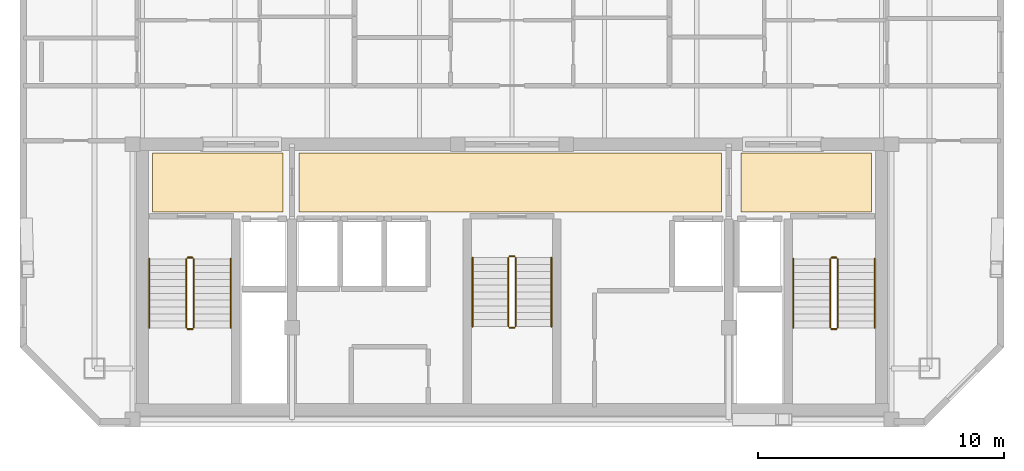
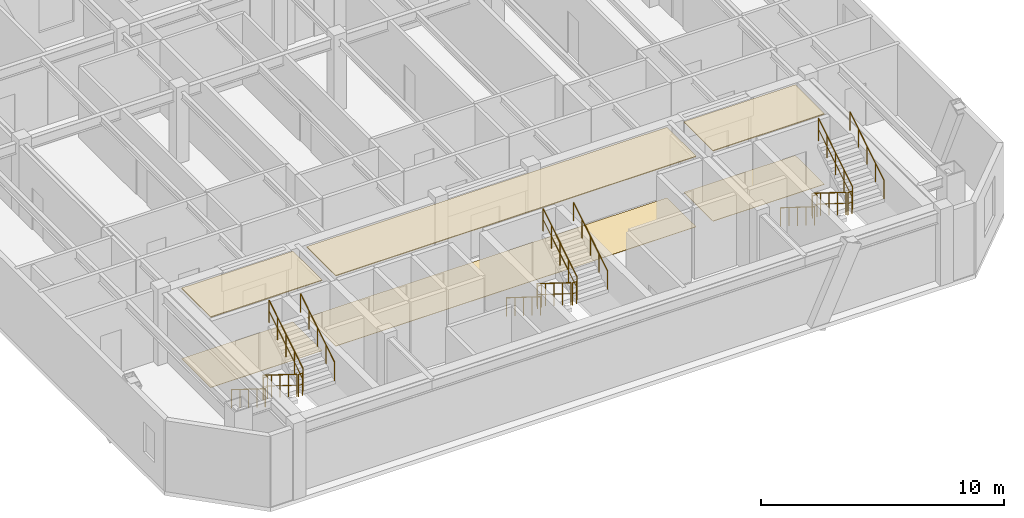
# One storey, part 7 of 7: 18 railings, 6 coverings.
"""IFC4 building model written with IfcOpenShell, lengths in metres."""

from ifc_helpers import new_model, si_unit, direction, frame, origin, origin_2d, place, context, subcontext, project, spatial, polyline, circle, outline, extrude, material, layer, layer_set, type_object, element, save


model = new_model("IFC4")

# Units and contexts
model_context = context("Model", 3, precision=1e-05, world=origin(), true_north=direction((0.0, 1.0)))
body_context = subcontext(model_context, "Body", "Model", "MODEL_VIEW")
ifc_project = project(units=[si_unit("LENGTHUNIT", "METRE"), si_unit("AREAUNIT", "SQUARE_METRE"), si_unit("VOLUMEUNIT", "CUBIC_METRE"), si_unit("PLANEANGLEUNIT", "RADIAN"), si_unit("MASSUNIT", "GRAM", prefix="KILO")], contexts=[model_context])

# Site, building, storey
site_placement = place(None, origin())
site = spatial("IfcSite", under=ifc_project, at=site_placement, CompositionType="ELEMENT")
building_placement = place(site_placement, origin())
building = spatial("IfcBuilding", under=site, at=building_placement, Name="Ventersveld Concourse Tower", CompositionType="ELEMENT")
storey_placement = place(building_placement, frame((0.0, 0.0, 304.14990234375)))
storey = spatial("IfcBuildingStorey", under=building, at=storey_placement, Name="L75", CompositionType="ELEMENT", Elevation=304.14990234375)

# Coverings
ifc_material_1 = material(Name="Mineral-fibre acoustic ceiling tile", Category="gypsum")
ifc_layer_1 = layer(ifc_material_1, 0.0400390625)
ifc_layer_set_1 = layer_set([ifc_layer_1], Name="Mineral-fibre acoustic ceiling tile")
covering_type_1 = type_object("IfcCoveringType", Name="COV-CEIL-ACOUSTIC", PredefinedType="CEILING", material=ifc_layer_set_1)
covering_1_placement = place(storey_placement, frame((0.0, 0.0, 3.530029296875)))
element("IfcCovering", 1, at=covering_1_placement, inside=storey, type_object=covering_type_1, Name="L75 North Lift Lobby Acoustic Ceiling", PredefinedType="CEILING", context=body_context, shape_type="SweptSolid", body=[
    extrude(outline(polyline([(20.10009765625, 8.699951171875), (37.25, 8.699951171875), (37.25, 11.10009765625), (20.10009765625, 11.10009765625), (20.10009765625, 8.699951171875)])), origin(), (0.0, 0.0, 1.0), 0.0400390625),
])
covering_2_placement = place(storey_placement, frame((0.0, 0.0, 3.530029296875)))
element("IfcCovering", 2, at=covering_2_placement, inside=storey, type_object=covering_type_1, Name="L75 West Firefighting Lobby Acoustic Ceiling", PredefinedType="CEILING", context=body_context, shape_type="SweptSolid", body=[
    extrude(outline(polyline([(14.14990234375, 8.699951171875), (19.449951171875, 8.699951171875), (19.449951171875, 11.10009765625), (14.14990234375, 11.10009765625), (14.14990234375, 8.699951171875)])), origin(), (0.0, 0.0, 1.0), 0.0400390625),
])
covering_3_placement = place(storey_placement, frame((0.0, 0.0, 3.530029296875)))
element("IfcCovering", 3, at=covering_3_placement, inside=storey, type_object=covering_type_1, Name="L75 East Firefighting Lobby Acoustic Ceiling", PredefinedType="CEILING", context=body_context, shape_type="SweptSolid", body=[
    extrude(outline(polyline([(38.050048828125, 8.699951171875), (43.35009765625, 8.699951171875), (43.35009765625, 11.10009765625), (38.050048828125, 11.10009765625), (38.050048828125, 8.699951171875)])), origin(), (0.0, 0.0, 1.0), 0.0400390625),
])
ifc_material_2 = material(Name="Polished Highveld granite terrazzo", Category="masonry")
ifc_layer_2 = layer(ifc_material_2, 0.02001953125)
ifc_layer_set_2 = layer_set([ifc_layer_2], Name="Polished Highveld granite terrazzo")
covering_type_2 = type_object("IfcCoveringType", Name="COV-FLOOR-TERRAZZO", PredefinedType="FLOORING", material=ifc_layer_set_2)
covering_4_placement = place(storey_placement, origin())
element("IfcCovering", 4, at=covering_4_placement, inside=storey, type_object=covering_type_2, Name="L75 North Lift Lobby Terrazzo Flooring", PredefinedType="FLOORING", context=body_context, shape_type="SweptSolid", body=[
    extrude(outline(polyline([(20.10009765625, 8.699951171875), (37.25, 8.699951171875), (37.25, 11.10009765625), (20.10009765625, 11.10009765625), (20.10009765625, 8.699951171875)])), origin(), (0.0, 0.0, 1.0), 0.02001953125),
])
covering_5_placement = place(storey_placement, origin())
element("IfcCovering", 5, at=covering_5_placement, inside=storey, type_object=covering_type_2, Name="L75 West Firefighting Lobby Terrazzo Flooring", PredefinedType="FLOORING", context=body_context, shape_type="SweptSolid", body=[
    extrude(outline(polyline([(14.14990234375, 8.699951171875), (19.449951171875, 8.699951171875), (19.449951171875, 11.10009765625), (14.14990234375, 11.10009765625), (14.14990234375, 8.699951171875)])), origin(), (0.0, 0.0, 1.0), 0.02001953125),
])
covering_6_placement = place(storey_placement, origin())
element("IfcCovering", 6, at=covering_6_placement, inside=storey, type_object=covering_type_2, Name="L75 East Firefighting Lobby Terrazzo Flooring", PredefinedType="FLOORING", context=body_context, shape_type="SweptSolid", body=[
    extrude(outline(polyline([(38.050048828125, 8.699951171875), (43.35009765625, 8.699951171875), (43.35009765625, 11.10009765625), (38.050048828125, 11.10009765625), (38.050048828125, 8.699951171875)])), origin(), (0.0, 0.0, 1.0), 0.02001953125),
])

# Railings
ifc_material_3 = material(Name="Brushed stainless steel 316", Category="steel")
railing_type_1 = type_object("IfcRailingType", Name="GD-BAL-115", PredefinedType="GUARDRAIL", material=ifc_material_3)
railing_1_placement = place(storey_placement, frame((15.530029296875, 6.800048828125, 0.175048828125)))
element("IfcRailing", 7, at=railing_1_placement, inside=storey, type_object=railing_type_1, Name="L75 ST-01 stair guard 1", PredefinedType="GUARDRAIL", context=body_context, shape_type="SweptSolid", body=[
    extrude(circle(Radius=0.02392578125, at=origin_2d()), frame((0.0, 0.0, 1.1259765625), z_axis=(0.0, -0.848002457836, 0.529992293815), x_axis=(1.0, 0.0, 0.0)), (0.0, 0.0, 1.0), 3.302001953125),
    extrude(circle(Radius=0.01611328125, at=origin_2d()), frame((0.0, 0.0, 0.574951171875), z_axis=(0.0, -0.848002457836, 0.529992293815), x_axis=(1.0, 0.0, 0.0)), (0.0, 0.0, 1.0), 3.302001953125),
    extrude(circle(Radius=0.02099609375, at=origin_2d()), origin(), (0.0, 0.0, 1.0), 1.101806640625),
    extrude(circle(Radius=0.02099609375, at=origin_2d()), frame((0.0, -0.699951171875, 0.4375)), (0.0, 0.0, 1.0), 1.101806640625),
    extrude(circle(Radius=0.02099609375, at=origin_2d()), frame((0.0, -1.39990234375, 0.875)), (0.0, 0.0, 1.0), 1.101806640625),
    extrude(circle(Radius=0.02099609375, at=origin_2d()), frame((0.0, -2.10009765625, 1.3125)), (0.0, 0.0, 1.0), 1.101806640625),
    extrude(circle(Radius=0.02099609375, at=origin_2d()), frame((0.0, -2.800048828125, 1.75)), (0.0, 0.0, 1.0), 1.101806640625),
])
railing_2_placement = place(storey_placement, frame((15.580078125, 3.949951171875, 1.925048828125)))
element("IfcRailing", 8, at=railing_2_placement, inside=storey, type_object=railing_type_1, Name="L75 ST-01 stair guard 2", PredefinedType="GUARDRAIL", context=body_context, shape_type="SweptSolid", body=[
    extrude(circle(Radius=0.02392578125, at=origin_2d()), frame((0.0, 0.0, 1.1259765625), z_axis=(1.0, 0.0, 0.0), x_axis=(0.0, 1.0, 0.0)), (0.0, 0.0, 1.0), 0.199951171875),
    extrude(circle(Radius=0.01611328125, at=origin_2d()), frame((0.0, 0.0, 0.574951171875), z_axis=(1.0, 0.0, 0.0), x_axis=(0.0, 1.0, 0.0)), (0.0, 0.0, 1.0), 0.199951171875),
    extrude(circle(Radius=0.02099609375, at=origin_2d()), origin(), (0.0, 0.0, 1.0), 1.101806640625),
    extrude(circle(Radius=0.02099609375, at=origin_2d()), frame((0.199951171875, 0.0, 0.0)), (0.0, 0.0, 1.0), 1.101806640625),
])
railing_3_placement = place(storey_placement, frame((15.830078125, 4.0, 2.10009765625)))
element("IfcRailing", 9, at=railing_3_placement, inside=storey, type_object=railing_type_1, Name="L75 ST-01 stair guard 3", PredefinedType="GUARDRAIL", context=body_context, shape_type="SweptSolid", body=[
    extrude(circle(Radius=0.02392578125, at=origin_2d()), frame((0.0, 0.0, 1.1259765625), z_axis=(0.0, 0.848002457836, 0.529992293815), x_axis=(-1.0, 0.0, 0.0)), (0.0, 0.0, 1.0), 3.302001953125),
    extrude(circle(Radius=0.01611328125, at=origin_2d()), frame((0.0, 0.0, 0.574951171875), z_axis=(0.0, 0.848002457836, 0.529992293815), x_axis=(-1.0, 0.0, 0.0)), (0.0, 0.0, 1.0), 3.302001953125),
    extrude(circle(Radius=0.02099609375, at=origin_2d()), origin(), (0.0, 0.0, 1.0), 1.101806640625),
    extrude(circle(Radius=0.02099609375, at=origin_2d()), frame((0.0, 0.699951171875, 0.4375)), (0.0, 0.0, 1.0), 1.101806640625),
    extrude(circle(Radius=0.02099609375, at=origin_2d()), frame((0.0, 1.39990234375, 0.875)), (0.0, 0.0, 1.0), 1.101806640625),
    extrude(circle(Radius=0.02099609375, at=origin_2d()), frame((0.0, 2.10009765625, 1.3125)), (0.0, 0.0, 1.0), 1.101806640625),
    extrude(circle(Radius=0.02099609375, at=origin_2d()), frame((0.0, 2.800048828125, 1.75)), (0.0, 0.0, 1.0), 1.101806640625),
])
railing_4_placement = place(storey_placement, frame((15.580078125, 6.85009765625, 0.0)))
element("IfcRailing", 10, at=railing_4_placement, inside=storey, type_object=railing_type_1, Name="L75 ST-01 stair guard 4", PredefinedType="GUARDRAIL", context=body_context, shape_type="SweptSolid", body=[
    extrude(circle(Radius=0.02392578125, at=origin_2d()), frame((0.0, 0.0, 1.1259765625), z_axis=(1.0, 0.0, 0.0), x_axis=(0.0, 1.0, 0.0)), (0.0, 0.0, 1.0), 0.199951171875),
    extrude(circle(Radius=0.01611328125, at=origin_2d()), frame((0.0, 0.0, 0.574951171875), z_axis=(1.0, 0.0, 0.0), x_axis=(0.0, 1.0, 0.0)), (0.0, 0.0, 1.0), 0.199951171875),
    extrude(circle(Radius=0.02099609375, at=origin_2d()), origin(), (0.0, 0.0, 1.0), 1.101806640625),
    extrude(circle(Radius=0.02099609375, at=origin_2d()), frame((0.199951171875, 0.0, 0.0)), (0.0, 0.0, 1.0), 1.101806640625),
])
railing_5_placement = place(storey_placement, frame((41.669921875, 6.800048828125, 0.175048828125)))
element("IfcRailing", 11, at=railing_5_placement, inside=storey, type_object=railing_type_1, Name="L75 ST-02 stair guard 1", PredefinedType="GUARDRAIL", context=body_context, shape_type="SweptSolid", body=[
    extrude(circle(Radius=0.02392578125, at=origin_2d()), frame((0.0, 0.0, 1.1259765625), z_axis=(0.0, -0.848002457836, 0.529992293815), x_axis=(1.0, 0.0, 0.0)), (0.0, 0.0, 1.0), 3.302001953125),
    extrude(circle(Radius=0.01611328125, at=origin_2d()), frame((0.0, 0.0, 0.574951171875), z_axis=(0.0, -0.848002457836, 0.529992293815), x_axis=(1.0, 0.0, 0.0)), (0.0, 0.0, 1.0), 3.302001953125),
    extrude(circle(Radius=0.02099609375, at=origin_2d()), origin(), (0.0, 0.0, 1.0), 1.101806640625),
    extrude(circle(Radius=0.02099609375, at=origin_2d()), frame((0.0, -0.699951171875, 0.4375)), (0.0, 0.0, 1.0), 1.101806640625),
    extrude(circle(Radius=0.02099609375, at=origin_2d()), frame((0.0, -1.39990234375, 0.875)), (0.0, 0.0, 1.0), 1.101806640625),
    extrude(circle(Radius=0.02099609375, at=origin_2d()), frame((0.0, -2.10009765625, 1.3125)), (0.0, 0.0, 1.0), 1.101806640625),
    extrude(circle(Radius=0.02099609375, at=origin_2d()), frame((0.0, -2.800048828125, 1.75)), (0.0, 0.0, 1.0), 1.101806640625),
])
railing_6_placement = place(storey_placement, frame((41.719970703125, 3.949951171875, 1.925048828125)))
element("IfcRailing", 12, at=railing_6_placement, inside=storey, type_object=railing_type_1, Name="L75 ST-02 stair guard 2", PredefinedType="GUARDRAIL", context=body_context, shape_type="SweptSolid", body=[
    extrude(circle(Radius=0.02392578125, at=origin_2d()), frame((0.0, 0.0, 1.1259765625), z_axis=(1.0, 0.0, 0.0), x_axis=(0.0, 1.0, 0.0)), (0.0, 0.0, 1.0), 0.199951171875),
    extrude(circle(Radius=0.01611328125, at=origin_2d()), frame((0.0, 0.0, 0.574951171875), z_axis=(1.0, 0.0, 0.0), x_axis=(0.0, 1.0, 0.0)), (0.0, 0.0, 1.0), 0.199951171875),
    extrude(circle(Radius=0.02099609375, at=origin_2d()), origin(), (0.0, 0.0, 1.0), 1.101806640625),
    extrude(circle(Radius=0.02099609375, at=origin_2d()), frame((0.199951171875, 0.0, 0.0)), (0.0, 0.0, 1.0), 1.101806640625),
])
railing_7_placement = place(storey_placement, frame((41.969970703125, 4.0, 2.10009765625)))
element("IfcRailing", 13, at=railing_7_placement, inside=storey, type_object=railing_type_1, Name="L75 ST-02 stair guard 3", PredefinedType="GUARDRAIL", context=body_context, shape_type="SweptSolid", body=[
    extrude(circle(Radius=0.02392578125, at=origin_2d()), frame((0.0, 0.0, 1.1259765625), z_axis=(0.0, 0.848002457836, 0.529992293815), x_axis=(-1.0, 0.0, 0.0)), (0.0, 0.0, 1.0), 3.302001953125),
    extrude(circle(Radius=0.01611328125, at=origin_2d()), frame((0.0, 0.0, 0.574951171875), z_axis=(0.0, 0.848002457836, 0.529992293815), x_axis=(-1.0, 0.0, 0.0)), (0.0, 0.0, 1.0), 3.302001953125),
    extrude(circle(Radius=0.02099609375, at=origin_2d()), origin(), (0.0, 0.0, 1.0), 1.101806640625),
    extrude(circle(Radius=0.02099609375, at=origin_2d()), frame((0.0, 0.699951171875, 0.4375)), (0.0, 0.0, 1.0), 1.101806640625),
    extrude(circle(Radius=0.02099609375, at=origin_2d()), frame((0.0, 1.39990234375, 0.875)), (0.0, 0.0, 1.0), 1.101806640625),
    extrude(circle(Radius=0.02099609375, at=origin_2d()), frame((0.0, 2.10009765625, 1.3125)), (0.0, 0.0, 1.0), 1.101806640625),
    extrude(circle(Radius=0.02099609375, at=origin_2d()), frame((0.0, 2.800048828125, 1.75)), (0.0, 0.0, 1.0), 1.101806640625),
])
railing_8_placement = place(storey_placement, frame((41.719970703125, 6.85009765625, 0.0)))
element("IfcRailing", 14, at=railing_8_placement, inside=storey, type_object=railing_type_1, Name="L75 ST-02 stair guard 4", PredefinedType="GUARDRAIL", context=body_context, shape_type="SweptSolid", body=[
    extrude(circle(Radius=0.02392578125, at=origin_2d()), frame((0.0, 0.0, 1.1259765625), z_axis=(1.0, 0.0, 0.0), x_axis=(0.0, 1.0, 0.0)), (0.0, 0.0, 1.0), 0.199951171875),
    extrude(circle(Radius=0.01611328125, at=origin_2d()), frame((0.0, 0.0, 0.574951171875), z_axis=(1.0, 0.0, 0.0), x_axis=(0.0, 1.0, 0.0)), (0.0, 0.0, 1.0), 0.199951171875),
    extrude(circle(Radius=0.02099609375, at=origin_2d()), origin(), (0.0, 0.0, 1.0), 1.101806640625),
    extrude(circle(Radius=0.02099609375, at=origin_2d()), frame((0.199951171875, 0.0, 0.0)), (0.0, 0.0, 1.0), 1.101806640625),
])
railing_9_placement = place(storey_placement, frame((28.60009765625, 6.85009765625, 0.175048828125)))
element("IfcRailing", 15, at=railing_9_placement, inside=storey, type_object=railing_type_1, Name="L75 ST-03 stair guard 1", PredefinedType="GUARDRAIL", context=body_context, shape_type="SweptSolid", body=[
    extrude(circle(Radius=0.02392578125, at=origin_2d()), frame((0.0, 0.0, 1.1259765625), z_axis=(0.0, -0.848002457836, 0.529992293815), x_axis=(1.0, 0.0, 0.0)), (0.0, 0.0, 1.0), 3.302001953125),
    extrude(circle(Radius=0.01611328125, at=origin_2d()), frame((0.0, 0.0, 0.574951171875), z_axis=(0.0, -0.848002457836, 0.529992293815), x_axis=(1.0, 0.0, 0.0)), (0.0, 0.0, 1.0), 3.302001953125),
    extrude(circle(Radius=0.02099609375, at=origin_2d()), origin(), (0.0, 0.0, 1.0), 1.101806640625),
    extrude(circle(Radius=0.02099609375, at=origin_2d()), frame((0.0, -0.699951171875, 0.4375)), (0.0, 0.0, 1.0), 1.101806640625),
    extrude(circle(Radius=0.02099609375, at=origin_2d()), frame((0.0, -1.39990234375, 0.875)), (0.0, 0.0, 1.0), 1.101806640625),
    extrude(circle(Radius=0.02099609375, at=origin_2d()), frame((0.0, -2.10009765625, 1.3125)), (0.0, 0.0, 1.0), 1.101806640625),
    extrude(circle(Radius=0.02099609375, at=origin_2d()), frame((0.0, -2.800048828125, 1.75)), (0.0, 0.0, 1.0), 1.101806640625),
])
railing_10_placement = place(storey_placement, frame((28.64990234375, 4.0, 1.925048828125)))
element("IfcRailing", 16, at=railing_10_placement, inside=storey, type_object=railing_type_1, Name="L75 ST-03 stair guard 2", PredefinedType="GUARDRAIL", context=body_context, shape_type="SweptSolid", body=[
    extrude(circle(Radius=0.02392578125, at=origin_2d()), frame((0.0, 0.0, 1.1259765625), z_axis=(1.0, 0.0, 0.0), x_axis=(0.0, 1.0, 0.0)), (0.0, 0.0, 1.0), 0.2001953125),
    extrude(circle(Radius=0.01611328125, at=origin_2d()), frame((0.0, 0.0, 0.574951171875), z_axis=(1.0, 0.0, 0.0), x_axis=(0.0, 1.0, 0.0)), (0.0, 0.0, 1.0), 0.2001953125),
    extrude(circle(Radius=0.02099609375, at=origin_2d()), origin(), (0.0, 0.0, 1.0), 1.101806640625),
    extrude(circle(Radius=0.02099609375, at=origin_2d()), frame((0.2001953125, 0.0, 0.0)), (0.0, 0.0, 1.0), 1.101806640625),
])
railing_11_placement = place(storey_placement, frame((28.89990234375, 4.050048828125, 2.10009765625)))
element("IfcRailing", 17, at=railing_11_placement, inside=storey, type_object=railing_type_1, Name="L75 ST-03 stair guard 3", PredefinedType="GUARDRAIL", context=body_context, shape_type="SweptSolid", body=[
    extrude(circle(Radius=0.02392578125, at=origin_2d()), frame((0.0, 0.0, 1.1259765625), z_axis=(0.0, 0.848002457836, 0.529992293815), x_axis=(-1.0, 0.0, 0.0)), (0.0, 0.0, 1.0), 3.302001953125),
    extrude(circle(Radius=0.01611328125, at=origin_2d()), frame((0.0, 0.0, 0.574951171875), z_axis=(0.0, 0.848002457836, 0.529992293815), x_axis=(-1.0, 0.0, 0.0)), (0.0, 0.0, 1.0), 3.302001953125),
    extrude(circle(Radius=0.02099609375, at=origin_2d()), origin(), (0.0, 0.0, 1.0), 1.101806640625),
    extrude(circle(Radius=0.02099609375, at=origin_2d()), frame((0.0, 0.699951171875, 0.4375)), (0.0, 0.0, 1.0), 1.101806640625),
    extrude(circle(Radius=0.02099609375, at=origin_2d()), frame((0.0, 1.39990234375, 0.875)), (0.0, 0.0, 1.0), 1.101806640625),
    extrude(circle(Radius=0.02099609375, at=origin_2d()), frame((0.0, 2.10009765625, 1.3125)), (0.0, 0.0, 1.0), 1.101806640625),
    extrude(circle(Radius=0.02099609375, at=origin_2d()), frame((0.0, 2.800048828125, 1.75)), (0.0, 0.0, 1.0), 1.101806640625),
])
railing_12_placement = place(storey_placement, frame((28.64990234375, 6.89990234375, 0.0)))
element("IfcRailing", 18, at=railing_12_placement, inside=storey, type_object=railing_type_1, Name="L75 ST-03 stair guard 4", PredefinedType="GUARDRAIL", context=body_context, shape_type="SweptSolid", body=[
    extrude(circle(Radius=0.02392578125, at=origin_2d()), frame((0.0, 0.0, 1.1259765625), z_axis=(1.0, 0.0, 0.0), x_axis=(0.0, 1.0, 0.0)), (0.0, 0.0, 1.0), 0.2001953125),
    extrude(circle(Radius=0.01611328125, at=origin_2d()), frame((0.0, 0.0, 0.574951171875), z_axis=(1.0, 0.0, 0.0), x_axis=(0.0, 1.0, 0.0)), (0.0, 0.0, 1.0), 0.2001953125),
    extrude(circle(Radius=0.02099609375, at=origin_2d()), origin(), (0.0, 0.0, 1.0), 1.101806640625),
    extrude(circle(Radius=0.02099609375, at=origin_2d()), frame((0.2001953125, 0.0, 0.0)), (0.0, 0.0, 1.0), 1.101806640625),
])
railing_type_2 = type_object("IfcRailingType", Name="HR-RMP-095", PredefinedType="HANDRAIL", material=ifc_material_3)
railing_13_placement = place(storey_placement, frame((14.030029296875, 6.800048828125, 0.175048828125)))
element("IfcRailing", 19, at=railing_13_placement, inside=storey, type_object=railing_type_2, Name="L75 ST-01 stair handrail 1", PredefinedType="HANDRAIL", context=body_context, shape_type="SweptSolid", body=[
    extrude(circle(Radius=0.02392578125, at=origin_2d()), frame((0.0, 0.0, 0.92578125), z_axis=(0.0, -0.848002457836, 0.529992293815), x_axis=(1.0, 0.0, 0.0)), (0.0, 0.0, 1.0), 3.302001953125),
    extrude(circle(Radius=0.02099609375, at=origin_2d()), origin(), (0.0, 0.0, 1.0), 0.90185546875),
    extrude(circle(Radius=0.02099609375, at=origin_2d()), frame((0.0, -0.699951171875, 0.4375)), (0.0, 0.0, 1.0), 0.90185546875),
    extrude(circle(Radius=0.02099609375, at=origin_2d()), frame((0.0, -1.39990234375, 0.875)), (0.0, 0.0, 1.0), 0.90185546875),
    extrude(circle(Radius=0.02099609375, at=origin_2d()), frame((0.0, -2.10009765625, 1.3125)), (0.0, 0.0, 1.0), 0.90185546875),
    extrude(circle(Radius=0.02099609375, at=origin_2d()), frame((0.0, -2.800048828125, 1.75)), (0.0, 0.0, 1.0), 0.90185546875),
])
railing_14_placement = place(storey_placement, frame((17.330078125, 4.0, 2.10009765625)))
element("IfcRailing", 20, at=railing_14_placement, inside=storey, type_object=railing_type_2, Name="L75 ST-01 stair handrail 2", PredefinedType="HANDRAIL", context=body_context, shape_type="SweptSolid", body=[
    extrude(circle(Radius=0.02392578125, at=origin_2d()), frame((0.0, 0.0, 0.92578125), z_axis=(0.0, 0.848002457836, 0.529992293815), x_axis=(-1.0, 0.0, 0.0)), (0.0, 0.0, 1.0), 3.302001953125),
    extrude(circle(Radius=0.02099609375, at=origin_2d()), origin(), (0.0, 0.0, 1.0), 0.90185546875),
    extrude(circle(Radius=0.02099609375, at=origin_2d()), frame((0.0, 0.699951171875, 0.4375)), (0.0, 0.0, 1.0), 0.90185546875),
    extrude(circle(Radius=0.02099609375, at=origin_2d()), frame((0.0, 1.39990234375, 0.875)), (0.0, 0.0, 1.0), 0.90185546875),
    extrude(circle(Radius=0.02099609375, at=origin_2d()), frame((0.0, 2.10009765625, 1.3125)), (0.0, 0.0, 1.0), 0.90185546875),
    extrude(circle(Radius=0.02099609375, at=origin_2d()), frame((0.0, 2.800048828125, 1.75)), (0.0, 0.0, 1.0), 0.90185546875),
])
railing_15_placement = place(storey_placement, frame((40.169921875, 6.800048828125, 0.175048828125)))
element("IfcRailing", 21, at=railing_15_placement, inside=storey, type_object=railing_type_2, Name="L75 ST-02 stair handrail 1", PredefinedType="HANDRAIL", context=body_context, shape_type="SweptSolid", body=[
    extrude(circle(Radius=0.02392578125, at=origin_2d()), frame((0.0, 0.0, 0.92578125), z_axis=(0.0, -0.848002457836, 0.529992293815), x_axis=(1.0, 0.0, 0.0)), (0.0, 0.0, 1.0), 3.302001953125),
    extrude(circle(Radius=0.02099609375, at=origin_2d()), origin(), (0.0, 0.0, 1.0), 0.90185546875),
    extrude(circle(Radius=0.02099609375, at=origin_2d()), frame((0.0, -0.699951171875, 0.4375)), (0.0, 0.0, 1.0), 0.90185546875),
    extrude(circle(Radius=0.02099609375, at=origin_2d()), frame((0.0, -1.39990234375, 0.875)), (0.0, 0.0, 1.0), 0.90185546875),
    extrude(circle(Radius=0.02099609375, at=origin_2d()), frame((0.0, -2.10009765625, 1.3125)), (0.0, 0.0, 1.0), 0.90185546875),
    extrude(circle(Radius=0.02099609375, at=origin_2d()), frame((0.0, -2.800048828125, 1.75)), (0.0, 0.0, 1.0), 0.90185546875),
])
railing_16_placement = place(storey_placement, frame((43.469970703125, 4.0, 2.10009765625)))
element("IfcRailing", 22, at=railing_16_placement, inside=storey, type_object=railing_type_2, Name="L75 ST-02 stair handrail 2", PredefinedType="HANDRAIL", context=body_context, shape_type="SweptSolid", body=[
    extrude(circle(Radius=0.02392578125, at=origin_2d()), frame((0.0, 0.0, 0.92578125), z_axis=(0.0, 0.848002457836, 0.529992293815), x_axis=(-1.0, 0.0, 0.0)), (0.0, 0.0, 1.0), 3.302001953125),
    extrude(circle(Radius=0.02099609375, at=origin_2d()), origin(), (0.0, 0.0, 1.0), 0.90185546875),
    extrude(circle(Radius=0.02099609375, at=origin_2d()), frame((0.0, 0.699951171875, 0.4375)), (0.0, 0.0, 1.0), 0.90185546875),
    extrude(circle(Radius=0.02099609375, at=origin_2d()), frame((0.0, 1.39990234375, 0.875)), (0.0, 0.0, 1.0), 0.90185546875),
    extrude(circle(Radius=0.02099609375, at=origin_2d()), frame((0.0, 2.10009765625, 1.3125)), (0.0, 0.0, 1.0), 0.90185546875),
    extrude(circle(Radius=0.02099609375, at=origin_2d()), frame((0.0, 2.800048828125, 1.75)), (0.0, 0.0, 1.0), 0.90185546875),
])
railing_17_placement = place(storey_placement, frame((27.14990234375, 6.85009765625, 0.175048828125)))
element("IfcRailing", 23, at=railing_17_placement, inside=storey, type_object=railing_type_2, Name="L75 ST-03 stair handrail 1", PredefinedType="HANDRAIL", context=body_context, shape_type="SweptSolid", body=[
    extrude(circle(Radius=0.02392578125, at=origin_2d()), frame((0.0, 0.0, 0.92578125), z_axis=(0.0, -0.848002457836, 0.529992293815), x_axis=(1.0, 0.0, 0.0)), (0.0, 0.0, 1.0), 3.302001953125),
    extrude(circle(Radius=0.02099609375, at=origin_2d()), origin(), (0.0, 0.0, 1.0), 0.90185546875),
    extrude(circle(Radius=0.02099609375, at=origin_2d()), frame((0.0, -0.699951171875, 0.4375)), (0.0, 0.0, 1.0), 0.90185546875),
    extrude(circle(Radius=0.02099609375, at=origin_2d()), frame((0.0, -1.39990234375, 0.875)), (0.0, 0.0, 1.0), 0.90185546875),
    extrude(circle(Radius=0.02099609375, at=origin_2d()), frame((0.0, -2.10009765625, 1.3125)), (0.0, 0.0, 1.0), 0.90185546875),
    extrude(circle(Radius=0.02099609375, at=origin_2d()), frame((0.0, -2.800048828125, 1.75)), (0.0, 0.0, 1.0), 0.90185546875),
])
railing_18_placement = place(storey_placement, frame((30.35009765625, 4.050048828125, 2.10009765625)))
element("IfcRailing", 24, at=railing_18_placement, inside=storey, type_object=railing_type_2, Name="L75 ST-03 stair handrail 2", PredefinedType="HANDRAIL", context=body_context, shape_type="SweptSolid", body=[
    extrude(circle(Radius=0.02392578125, at=origin_2d()), frame((0.0, 0.0, 0.92578125), z_axis=(0.0, 0.848002457836, 0.529992293815), x_axis=(-1.0, 0.0, 0.0)), (0.0, 0.0, 1.0), 3.302001953125),
    extrude(circle(Radius=0.02099609375, at=origin_2d()), origin(), (0.0, 0.0, 1.0), 0.90185546875),
    extrude(circle(Radius=0.02099609375, at=origin_2d()), frame((0.0, 0.699951171875, 0.4375)), (0.0, 0.0, 1.0), 0.90185546875),
    extrude(circle(Radius=0.02099609375, at=origin_2d()), frame((0.0, 1.39990234375, 0.875)), (0.0, 0.0, 1.0), 0.90185546875),
    extrude(circle(Radius=0.02099609375, at=origin_2d()), frame((0.0, 2.10009765625, 1.3125)), (0.0, 0.0, 1.0), 0.90185546875),
    extrude(circle(Radius=0.02099609375, at=origin_2d()), frame((0.0, 2.800048828125, 1.75)), (0.0, 0.0, 1.0), 0.90185546875),
])

save(model, "model.ifc")
